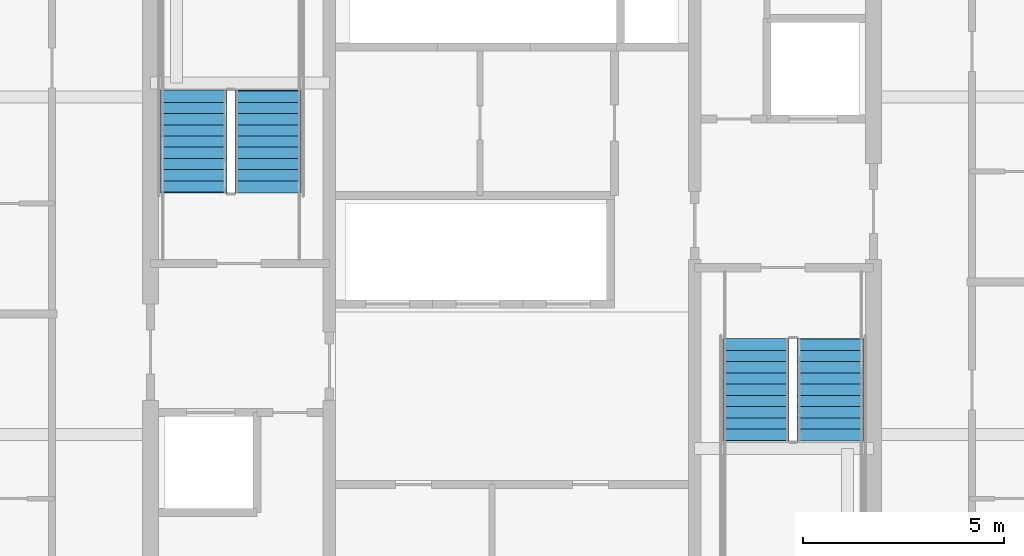
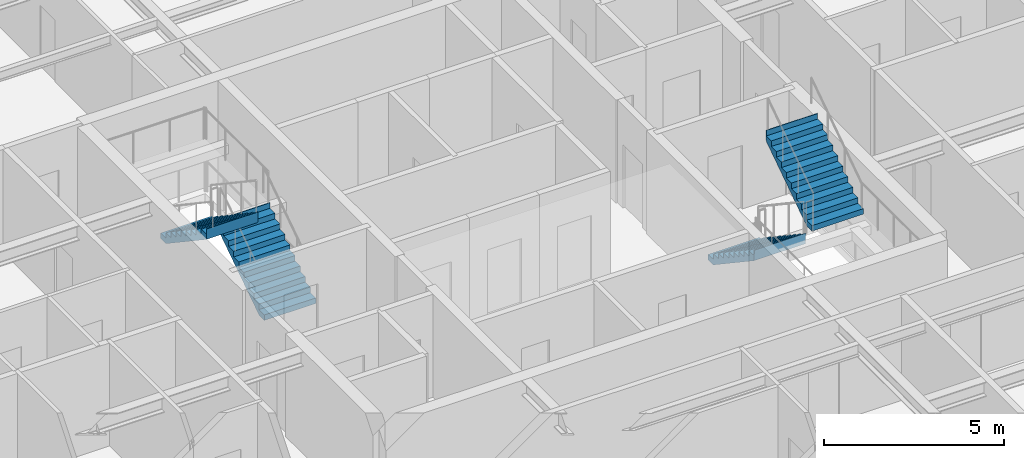
# One storey, part 31 of 36: 4 stair flights, 2 elements without a shape of their own.
"""IFC4 building model written with IfcOpenShell, lengths in metres."""

import ifcopenshell
import ifcopenshell.guid

model = None  # the IFC model being written
_history = None  # IfcOwnerHistory: only IFC2X3 demands one
_inside = {}  # id of a spatial element -> (the spatial element, [elements in it])
_under = {}  # id of a project, library or spatial element -> (it, [spatial elements below it])
_declared = {}  # id of a project -> (the project, [libraries it declares])
_typed = {}  # id of a type object -> (the type object, [elements of that type])
_made_of = {}  # id of a material, layer set ... -> (it, [elements and type objects made of it])


def new_model(schema):
    """Start an empty IFC model of exactly this schema.

    Asked for "IFC4X3", IfcOpenShell would pick the latest addendum, in which some entities
    have other attributes; the version numbers below select the first issue.
    IFC2X3 requires an IfcOwnerHistory on every rooted entity: one is made here for all.
    """
    global model, _history
    if schema == "IFC4X3":
        model = ifcopenshell.file(schema_version=(4, 3, 0, 0))
    else:
        model = ifcopenshell.file(schema=schema)
    _inside.clear()
    _under.clear()
    _declared.clear()
    _typed.clear()
    _made_of.clear()
    _history = None
    if model.schema == "IFC2X3":
        org = make("IfcOrganization", Name="unknown")
        user = make(
            "IfcPersonAndOrganization",
            ThePerson=make("IfcPerson", FamilyName="unknown"),
            TheOrganization=org,
        )
        app = make(
            "IfcApplication",
            ApplicationDeveloper=org,
            Version="unknown",
            ApplicationFullName="unknown",
            ApplicationIdentifier="unknown",
        )
        _history = make(
            "IfcOwnerHistory",
            OwningUser=user,
            OwningApplication=app,
            ChangeAction="ADDED",
            CreationDate=0,
        )
    return model


def make(cls, **values):
    """One entity of the class cls with the attributes given. An attribute that is None is left unset."""
    return model.create_entity(
        cls, **{name: value for name, value in values.items() if value is not None}
    )


def rooted(cls, **values):
    """An entity with a GlobalId (a new one), such as an element, a storey or a relation."""
    return make(cls, GlobalId=ifcopenshell.guid.new(), OwnerHistory=_history, **values)


def si_unit(unit_type, name, prefix=None):
    """IfcSIUnit, for example si_unit("LENGTHUNIT", "METRE", prefix="MILLI")."""
    return make("IfcSIUnit", UnitType=unit_type, Prefix=prefix, Name=name)


def assignment(units):
    """IfcUnitAssignment: the units of a project."""
    return None if units is None else make("IfcUnitAssignment", Units=units)


def point(xyz):
    """IfcCartesianPoint."""
    return None if xyz is None else make("IfcCartesianPoint", Coordinates=xyz)


def direction(xyz):
    """IfcDirection."""
    return None if xyz is None else make("IfcDirection", DirectionRatios=xyz)


def frame(location, z_axis=None, x_axis=None):
    """IfcAxis2Placement3D, a coordinate frame: its origin and axes. An axis left out is left unset."""
    return make(
        "IfcAxis2Placement3D",
        Location=point(location),
        Axis=direction(z_axis),
        RefDirection=direction(x_axis),
    )


def origin():
    """The frame at (0, 0, 0) with its axes left unset."""
    return frame((0.0, 0.0, 0.0))


def place(relative_to, where):
    """IfcLocalPlacement: puts the frame where relative to a parent placement (None: the world)."""
    return make(
        "IfcLocalPlacement", PlacementRelTo=relative_to, RelativePlacement=where
    )


def context(
    kind, dimensions, precision=None, world=None, true_north=None, identifier=None
):
    """IfcGeometricRepresentationContext, for example the 3D "Model" context."""
    return make(
        "IfcGeometricRepresentationContext",
        ContextIdentifier=identifier,
        ContextType=kind,
        CoordinateSpaceDimension=dimensions,
        Precision=precision,
        WorldCoordinateSystem=world,
        TrueNorth=true_north,
    )


def subcontext(parent, identifier, kind, view, scale=None):
    """IfcGeometricRepresentationSubContext, for example "Body" below "Model"."""
    return make(
        "IfcGeometricRepresentationSubContext",
        ContextIdentifier=identifier,
        ContextType=kind,
        ParentContext=parent,
        TargetScale=scale,
        TargetView=view,
    )


def project(units=None, contexts=None):
    """IfcProject with its units and contexts."""
    return rooted(
        "IfcProject",
        Name="project",
        RepresentationContexts=contexts,
        UnitsInContext=assignment(units),
    )


def spatial(cls, under=None, at=None, **own):
    """A site, building, storey or space (cls), placed at a placement, below another one or the project."""
    s = rooted(cls, ObjectPlacement=at, **own)
    if under is not None:
        _under.setdefault(under.id(), (under, []))[1].append(s)
    return s


def point_list(points):
    """IfcCartesianPointList2D or 3D."""
    cls = (
        "IfcCartesianPointList2D" if len(points[0]) == 2 else "IfcCartesianPointList3D"
    )
    return make(cls, CoordList=points)


def polygons(points, faces, closed=None, point_numbers=None):
    """IfcPolygonalFaceSet: a face is its outer loop, then its inner loops; points numbered from 1."""
    made = []
    for loops in faces:
        if len(loops) == 1:
            made.append(make("IfcIndexedPolygonalFace", CoordIndex=loops[0]))
        else:
            made.append(
                make(
                    "IfcIndexedPolygonalFaceWithVoids",
                    CoordIndex=loops[0],
                    InnerCoordIndices=loops[1:],
                )
            )
    return make(
        "IfcPolygonalFaceSet",
        Coordinates=point_list(points),
        Closed=closed,
        Faces=made,
        PnIndex=point_numbers,
    )


def shape(context_of_items, identifier, shape_type, items):
    """IfcShapeRepresentation: the items that make up one representation, for example the "Body"."""
    return make(
        "IfcShapeRepresentation",
        ContextOfItems=context_of_items,
        RepresentationIdentifier=identifier,
        RepresentationType=shape_type,
        Items=items,
    )


def material(Name=None, Category=None):
    """IfcMaterial."""
    return make("IfcMaterial", Name=Name, Category=Category)


def made_of(thing, what):
    """Note that an element or type object is made of a material, layer set ...; save() writes the relation."""
    if what is not None:
        _made_of.setdefault(what.id(), (what, []))[1].append(thing)
    return thing


def type_object(cls, material=None, **own):
    """A type object (cls), such as IfcWallType, which elements share."""
    return made_of(rooted(cls, **own), material)


def element(
    cls,
    number,
    at=None,
    inside=None,
    cuts=None,
    type_object=None,
    material=None,
    context=None,
    identifier="Body",
    shape_type=None,
    held_by="IfcProductDefinitionShape",
    body=None,
    shapes=None,
    **own,
):
    """One element of the class cls, such as IfcWall. Its Tag is "e" and its number.

    at: its placement. inside: the storey or other place that contains it. cuts: it is an
    opening in that element (IfcRelVoidsElement). A single representation is given by context,
    identifier, shape_type and body (its items); several are given by shapes. held_by: the class
    of the entity that holds the representations. save() writes the other relations.
    """
    e = rooted(cls, Tag="e%d" % number, ObjectPlacement=at, **own)
    if body is not None:
        shapes = [shape(context, identifier, shape_type, body)]
    if shapes is not None:
        e.Representation = make(held_by, Representations=shapes)
    if inside is not None:
        _inside.setdefault(inside.id(), (inside, []))[1].append(e)
    if cuts is not None:
        rooted(
            "IfcRelVoidsElement", RelatingBuildingElement=cuts, RelatedOpeningElement=e
        )
    if type_object is not None:
        _typed.setdefault(type_object.id(), (type_object, []))[1].append(e)
    return made_of(e, material)


def aggregate(whole, parts):
    """IfcRelAggregates: a whole, such as a stair, and the parts it consists of."""
    return rooted("IfcRelAggregates", RelatingObject=whole, RelatedObjects=parts)


def save(model, path):
    """Write the relations noted so far, then the file.

    IfcRelAggregates (storeys below a building ...), IfcRelContainedInSpatialStructure (elements
    in a storey), IfcRelDefinesByType, IfcRelAssociatesMaterial and IfcRelDeclares: one each for
    every whole, place, type object, material and project.
    """
    for whole, parts in _under.values():
        aggregate(whole, parts)
    for where, things in _inside.values():
        rooted(
            "IfcRelContainedInSpatialStructure",
            RelatedElements=things,
            RelatingStructure=where,
        )
    for kind, things in _typed.values():
        rooted("IfcRelDefinesByType", RelatedObjects=things, RelatingType=kind)
    for what, things in _made_of.values():
        rooted("IfcRelAssociatesMaterial", RelatedObjects=things, RelatingMaterial=what)
    for by, libraries in _declared.values():
        rooted("IfcRelDeclares", RelatingContext=by, RelatedDefinitions=libraries)
    model.write(path)


model = new_model("IFC4")

# Units and contexts
model_context = context("Model", 3, precision=1e-05, world=origin(), true_north=direction((0.0, 1.0)))
body_context = subcontext(model_context, "Body", "Model", "MODEL_VIEW")
ifc_project = project(units=[si_unit("LENGTHUNIT", "METRE"), si_unit("AREAUNIT", "SQUARE_METRE"), si_unit("VOLUMEUNIT", "CUBIC_METRE"), si_unit("PLANEANGLEUNIT", "RADIAN"), si_unit("MASSUNIT", "GRAM", prefix="KILO")], contexts=[model_context])

# Site, building, storey
site_placement = place(None, origin())
site = spatial("IfcSite", under=ifc_project, at=site_placement, CompositionType="ELEMENT")
building_placement = place(site_placement, origin())
building = spatial("IfcBuilding", under=site, at=building_placement, Name="Serunith Strait Residences", CompositionType="ELEMENT")
storey_placement = place(building_placement, frame((0.0, 0.0, 131.39990234375)))
storey = spatial("IfcBuildingStorey", under=building, at=storey_placement, Name="L32", CompositionType="ELEMENT", Elevation=131.39990234375)

# Stair, stair flights
ifc_material = material(Name="Concrete C50/60", Category="concrete")
stair_type_1 = type_object("IfcStairType", Name="STR-CORE-1", PredefinedType="HALF_TURN_STAIR", material=ifc_material)
stair_1_placement = place(storey_placement, origin())
stair_1 = element("IfcStair", 1, at=stair_1_placement, inside=storey, type_object=stair_type_1, Name="L32 Protected Escape Stair ST-1", PredefinedType="HALF_TURN_STAIR")
stair_flight_type_1 = type_object("IfcStairFlightType", Name="FLT-CORE-1", PredefinedType="STRAIGHT", material=ifc_material)
stair_flight_1_placement = place(storey_placement, frame((26.324951171875, 27.030029296875, 0.0), z_axis=(0.0, 0.0, 1.0), x_axis=(0.0, 1.0, 0.0)))
stair_flight_1 = element("IfcStairFlight", 2, at=stair_flight_1_placement, type_object=stair_flight_type_1, Name="ST-1 flight 1", NumberOfRisers=10, NumberOfTreads=9, PredefinedType="STRAIGHT", RiserHeight=0.1875, TreadLength=0.28, context=body_context, shape_type="Tessellation", body=[
    polygons([(-0.02001953125, -0.824951171875, 0.0), (-0.02001953125, -0.824951171875, 0.1875), (0.280029296875, -0.824951171875, 0.1875), (0.280029296875, -0.824951171875, 0.375), (0.56005859375, -0.824951171875, 0.375), (0.56005859375, -0.824951171875, 0.5625), (0.840087890625, -0.824951171875, 0.5625), (0.840087890625, -0.824951171875, 0.75), (1.1201171875, -0.824951171875, 0.75), (1.1201171875, -0.824951171875, 0.9375), (1.39990234375, -0.824951171875, 0.9375), (1.39990234375, -0.824951171875, 1.125), (1.679931640625, -0.824951171875, 1.125), (1.679931640625, -0.824951171875, 1.3125), (1.9599609375, -0.824951171875, 1.3125), (1.9599609375, -0.824951171875, 1.5), (2.239990234375, -0.824951171875, 1.5), (2.239990234375, -0.824951171875, 1.6875), (2.52001953125, -0.824951171875, 1.6875), (2.52001953125, -0.824951171875, 1.875), (2.5400390625, -0.824951171875, 1.875), (2.5400390625, -0.824951171875, 1.81494140625), (2.52001953125, -0.824951171875, 1.507080078125), (0.26953125, -0.824951171875, 0.0), (-0.02001953125, -0.41259765625, 0.0), (-0.02001953125, -0.41259765625, 0.1875), (0.280029296875, -0.41259765625, 0.1875), (0.280029296875, -0.41259765625, 0.375), (0.56005859375, -0.41259765625, 0.375), (0.56005859375, -0.41259765625, 0.5625), (0.840087890625, -0.41259765625, 0.5625), (0.840087890625, -0.41259765625, 0.75), (1.1201171875, -0.41259765625, 0.75), (1.1201171875, -0.41259765625, 0.9375), (1.39990234375, -0.41259765625, 0.9375), (1.39990234375, -0.41259765625, 1.125), (1.679931640625, -0.41259765625, 1.125), (1.679931640625, -0.41259765625, 1.3125), (1.9599609375, -0.41259765625, 1.3125), (1.9599609375, -0.41259765625, 1.5), (2.239990234375, -0.41259765625, 1.5), (2.239990234375, -0.41259765625, 1.6875), (2.52001953125, -0.41259765625, 1.6875), (2.52001953125, -0.41259765625, 1.875), (2.5400390625, -0.41259765625, 1.875), (2.5400390625, -0.41259765625, 1.81494140625), (2.52001953125, -0.41259765625, 1.507080078125), (0.26953125, -0.41259765625, 0.0), (-0.02001953125, 0.0, 0.0), (-0.02001953125, 0.0, 0.1875), (0.280029296875, 0.0, 0.1875), (0.280029296875, 0.0, 0.375), (0.56005859375, 0.0, 0.375), (0.56005859375, 0.0, 0.5625), (0.840087890625, 0.0, 0.5625), (0.840087890625, 0.0, 0.75), (1.1201171875, 0.0, 0.75), (1.1201171875, 0.0, 0.9375), (1.39990234375, 0.0, 0.9375), (1.39990234375, 0.0, 1.125), (1.679931640625, 0.0, 1.125), (1.679931640625, 0.0, 1.3125), (1.9599609375, 0.0, 1.3125), (1.9599609375, 0.0, 1.5), (2.239990234375, 0.0, 1.5), (2.239990234375, 0.0, 1.6875), (2.52001953125, 0.0, 1.6875), (2.52001953125, 0.0, 1.875), (2.5400390625, 0.0, 1.875), (2.5400390625, 0.0, 1.81494140625), (2.52001953125, 0.0, 1.507080078125), (0.26953125, 0.0, 0.0), (-0.02001953125, 0.41259765625, 0.0), (-0.02001953125, 0.41259765625, 0.1875), (0.280029296875, 0.41259765625, 0.1875), (0.280029296875, 0.41259765625, 0.375), (0.56005859375, 0.41259765625, 0.375), (0.56005859375, 0.41259765625, 0.5625), (0.840087890625, 0.41259765625, 0.5625), (0.840087890625, 0.41259765625, 0.75), (1.1201171875, 0.41259765625, 0.75), (1.1201171875, 0.41259765625, 0.9375), (1.39990234375, 0.41259765625, 0.9375), (1.39990234375, 0.41259765625, 1.125), (1.679931640625, 0.41259765625, 1.125), (1.679931640625, 0.41259765625, 1.3125), (1.9599609375, 0.41259765625, 1.3125), (1.9599609375, 0.41259765625, 1.5), (2.239990234375, 0.41259765625, 1.5), (2.239990234375, 0.41259765625, 1.6875), (2.52001953125, 0.41259765625, 1.6875), (2.52001953125, 0.41259765625, 1.875), (2.5400390625, 0.41259765625, 1.875), (2.5400390625, 0.41259765625, 1.81494140625), (2.52001953125, 0.41259765625, 1.507080078125), (0.26953125, 0.41259765625, 0.0), (-0.02001953125, 0.824951171875, 0.0), (-0.02001953125, 0.824951171875, 0.1875), (0.280029296875, 0.824951171875, 0.1875), (0.280029296875, 0.824951171875, 0.375), (0.56005859375, 0.824951171875, 0.375), (0.56005859375, 0.824951171875, 0.5625), (0.840087890625, 0.824951171875, 0.5625), (0.840087890625, 0.824951171875, 0.75), (1.1201171875, 0.824951171875, 0.75), (1.1201171875, 0.824951171875, 0.9375), (1.39990234375, 0.824951171875, 0.9375), (1.39990234375, 0.824951171875, 1.125), (1.679931640625, 0.824951171875, 1.125), (1.679931640625, 0.824951171875, 1.3125), (1.9599609375, 0.824951171875, 1.3125), (1.9599609375, 0.824951171875, 1.5), (2.239990234375, 0.824951171875, 1.5), (2.239990234375, 0.824951171875, 1.6875), (2.52001953125, 0.824951171875, 1.6875), (2.52001953125, 0.824951171875, 1.875), (2.5400390625, 0.824951171875, 1.875), (2.5400390625, 0.824951171875, 1.81494140625), (2.52001953125, 0.824951171875, 1.507080078125), (0.26953125, 0.824951171875, 0.0)], [[[1, 2, 26, 25]], [[2, 3, 27, 26]], [[3, 4, 28, 27]], [[4, 5, 29, 28]], [[5, 6, 30, 29]], [[6, 7, 31, 30]], [[7, 8, 32, 31]], [[8, 9, 33, 32]], [[9, 10, 34, 33]], [[10, 11, 35, 34]], [[11, 12, 36, 35]], [[12, 13, 37, 36]], [[13, 14, 38, 37]], [[14, 15, 39, 38]], [[15, 16, 40, 39]], [[16, 17, 41, 40]], [[17, 18, 42, 41]], [[18, 19, 43, 42]], [[19, 20, 44, 43]], [[20, 21, 45, 44]], [[21, 22, 46, 45]], [[22, 23, 47, 46]], [[23, 24, 48, 47]], [[24, 1, 25, 48]], [[25, 26, 50, 49]], [[26, 27, 51, 50]], [[27, 28, 52, 51]], [[28, 29, 53, 52]], [[29, 30, 54, 53]], [[30, 31, 55, 54]], [[31, 32, 56, 55]], [[32, 33, 57, 56]], [[33, 34, 58, 57]], [[34, 35, 59, 58]], [[35, 36, 60, 59]], [[36, 37, 61, 60]], [[37, 38, 62, 61]], [[38, 39, 63, 62]], [[39, 40, 64, 63]], [[40, 41, 65, 64]], [[41, 42, 66, 65]], [[42, 43, 67, 66]], [[43, 44, 68, 67]], [[44, 45, 69, 68]], [[45, 46, 70, 69]], [[46, 47, 71, 70]], [[47, 48, 72, 71]], [[48, 25, 49, 72]], [[49, 50, 74, 73]], [[50, 51, 75, 74]], [[51, 52, 76, 75]], [[52, 53, 77, 76]], [[53, 54, 78, 77]], [[54, 55, 79, 78]], [[55, 56, 80, 79]], [[56, 57, 81, 80]], [[57, 58, 82, 81]], [[58, 59, 83, 82]], [[59, 60, 84, 83]], [[60, 61, 85, 84]], [[61, 62, 86, 85]], [[62, 63, 87, 86]], [[63, 64, 88, 87]], [[64, 65, 89, 88]], [[65, 66, 90, 89]], [[66, 67, 91, 90]], [[67, 68, 92, 91]], [[68, 69, 93, 92]], [[69, 70, 94, 93]], [[70, 71, 95, 94]], [[71, 72, 96, 95]], [[72, 49, 73, 96]], [[73, 74, 98, 97]], [[74, 75, 99, 98]], [[75, 76, 100, 99]], [[76, 77, 101, 100]], [[77, 78, 102, 101]], [[78, 79, 103, 102]], [[79, 80, 104, 103]], [[80, 81, 105, 104]], [[81, 82, 106, 105]], [[82, 83, 107, 106]], [[83, 84, 108, 107]], [[84, 85, 109, 108]], [[85, 86, 110, 109]], [[86, 87, 111, 110]], [[87, 88, 112, 111]], [[88, 89, 113, 112]], [[89, 90, 114, 113]], [[90, 91, 115, 114]], [[91, 92, 116, 115]], [[92, 93, 117, 116]], [[93, 94, 118, 117]], [[94, 95, 119, 118]], [[95, 96, 120, 119]], [[96, 73, 97, 120]], [[24, 23, 22, 21, 20, 19, 18, 17, 16, 15, 14, 13, 12, 11, 10, 9, 8, 7, 6, 5, 4, 3, 2, 1]], [[97, 98, 99, 100, 101, 102, 103, 104, 105, 106, 107, 108, 109, 110, 111, 112, 113, 114, 115, 116, 117, 118, 119, 120]]], closed=True),
])
stair_flight_2_placement = place(storey_placement, frame((24.47509765625, 29.550048828125, 1.875), z_axis=(0.0, 0.0, 1.0), x_axis=(0.0, -1.0, 0.0)))
stair_flight_2 = element("IfcStairFlight", 3, at=stair_flight_2_placement, type_object=stair_flight_type_1, Name="ST-1 flight 2", NumberOfRisers=10, NumberOfTreads=9, PredefinedType="STRAIGHT", RiserHeight=0.1875, TreadLength=0.28, context=body_context, shape_type="Tessellation", body=[
    polygons([(-0.02001953125, -0.824951171875, 0.0), (-0.02001953125, -0.824951171875, 0.1875), (0.280029296875, -0.824951171875, 0.1875), (0.280029296875, -0.824951171875, 0.375), (0.56005859375, -0.824951171875, 0.375), (0.56005859375, -0.824951171875, 0.5625), (0.840087890625, -0.824951171875, 0.5625), (0.840087890625, -0.824951171875, 0.75), (1.1201171875, -0.824951171875, 0.75), (1.1201171875, -0.824951171875, 0.9375), (1.39990234375, -0.824951171875, 0.9375), (1.39990234375, -0.824951171875, 1.125), (1.679931640625, -0.824951171875, 1.125), (1.679931640625, -0.824951171875, 1.3125), (1.9599609375, -0.824951171875, 1.3125), (1.9599609375, -0.824951171875, 1.5), (2.239990234375, -0.824951171875, 1.5), (2.239990234375, -0.824951171875, 1.6875), (2.52001953125, -0.824951171875, 1.6875), (2.52001953125, -0.824951171875, 1.875), (2.5400390625, -0.824951171875, 1.875), (2.5400390625, -0.824951171875, 1.81494140625), (2.52001953125, -0.824951171875, 1.507080078125), (0.26953125, -0.824951171875, 0.0), (-0.02001953125, -0.41259765625, 0.0), (-0.02001953125, -0.41259765625, 0.1875), (0.280029296875, -0.41259765625, 0.1875), (0.280029296875, -0.41259765625, 0.375), (0.56005859375, -0.41259765625, 0.375), (0.56005859375, -0.41259765625, 0.5625), (0.840087890625, -0.41259765625, 0.5625), (0.840087890625, -0.41259765625, 0.75), (1.1201171875, -0.41259765625, 0.75), (1.1201171875, -0.41259765625, 0.9375), (1.39990234375, -0.41259765625, 0.9375), (1.39990234375, -0.41259765625, 1.125), (1.679931640625, -0.41259765625, 1.125), (1.679931640625, -0.41259765625, 1.3125), (1.9599609375, -0.41259765625, 1.3125), (1.9599609375, -0.41259765625, 1.5), (2.239990234375, -0.41259765625, 1.5), (2.239990234375, -0.41259765625, 1.6875), (2.52001953125, -0.41259765625, 1.6875), (2.52001953125, -0.41259765625, 1.875), (2.5400390625, -0.41259765625, 1.875), (2.5400390625, -0.41259765625, 1.81494140625), (2.52001953125, -0.41259765625, 1.507080078125), (0.26953125, -0.41259765625, 0.0), (-0.02001953125, 0.0, 0.0), (-0.02001953125, 0.0, 0.1875), (0.280029296875, 0.0, 0.1875), (0.280029296875, 0.0, 0.375), (0.56005859375, 0.0, 0.375), (0.56005859375, 0.0, 0.5625), (0.840087890625, 0.0, 0.5625), (0.840087890625, 0.0, 0.75), (1.1201171875, 0.0, 0.75), (1.1201171875, 0.0, 0.9375), (1.39990234375, 0.0, 0.9375), (1.39990234375, 0.0, 1.125), (1.679931640625, 0.0, 1.125), (1.679931640625, 0.0, 1.3125), (1.9599609375, 0.0, 1.3125), (1.9599609375, 0.0, 1.5), (2.239990234375, 0.0, 1.5), (2.239990234375, 0.0, 1.6875), (2.52001953125, 0.0, 1.6875), (2.52001953125, 0.0, 1.875), (2.5400390625, 0.0, 1.875), (2.5400390625, 0.0, 1.81494140625), (2.52001953125, 0.0, 1.507080078125), (0.26953125, 0.0, 0.0), (-0.02001953125, 0.41259765625, 0.0), (-0.02001953125, 0.41259765625, 0.1875), (0.280029296875, 0.41259765625, 0.1875), (0.280029296875, 0.41259765625, 0.375), (0.56005859375, 0.41259765625, 0.375), (0.56005859375, 0.41259765625, 0.5625), (0.840087890625, 0.41259765625, 0.5625), (0.840087890625, 0.41259765625, 0.75), (1.1201171875, 0.41259765625, 0.75), (1.1201171875, 0.41259765625, 0.9375), (1.39990234375, 0.41259765625, 0.9375), (1.39990234375, 0.41259765625, 1.125), (1.679931640625, 0.41259765625, 1.125), (1.679931640625, 0.41259765625, 1.3125), (1.9599609375, 0.41259765625, 1.3125), (1.9599609375, 0.41259765625, 1.5), (2.239990234375, 0.41259765625, 1.5), (2.239990234375, 0.41259765625, 1.6875), (2.52001953125, 0.41259765625, 1.6875), (2.52001953125, 0.41259765625, 1.875), (2.5400390625, 0.41259765625, 1.875), (2.5400390625, 0.41259765625, 1.81494140625), (2.52001953125, 0.41259765625, 1.507080078125), (0.26953125, 0.41259765625, 0.0), (-0.02001953125, 0.824951171875, 0.0), (-0.02001953125, 0.824951171875, 0.1875), (0.280029296875, 0.824951171875, 0.1875), (0.280029296875, 0.824951171875, 0.375), (0.56005859375, 0.824951171875, 0.375), (0.56005859375, 0.824951171875, 0.5625), (0.840087890625, 0.824951171875, 0.5625), (0.840087890625, 0.824951171875, 0.75), (1.1201171875, 0.824951171875, 0.75), (1.1201171875, 0.824951171875, 0.9375), (1.39990234375, 0.824951171875, 0.9375), (1.39990234375, 0.824951171875, 1.125), (1.679931640625, 0.824951171875, 1.125), (1.679931640625, 0.824951171875, 1.3125), (1.9599609375, 0.824951171875, 1.3125), (1.9599609375, 0.824951171875, 1.5), (2.239990234375, 0.824951171875, 1.5), (2.239990234375, 0.824951171875, 1.6875), (2.52001953125, 0.824951171875, 1.6875), (2.52001953125, 0.824951171875, 1.875), (2.5400390625, 0.824951171875, 1.875), (2.5400390625, 0.824951171875, 1.81494140625), (2.52001953125, 0.824951171875, 1.507080078125), (0.26953125, 0.824951171875, 0.0)], [[[1, 2, 26, 25]], [[2, 3, 27, 26]], [[3, 4, 28, 27]], [[4, 5, 29, 28]], [[5, 6, 30, 29]], [[6, 7, 31, 30]], [[7, 8, 32, 31]], [[8, 9, 33, 32]], [[9, 10, 34, 33]], [[10, 11, 35, 34]], [[11, 12, 36, 35]], [[12, 13, 37, 36]], [[13, 14, 38, 37]], [[14, 15, 39, 38]], [[15, 16, 40, 39]], [[16, 17, 41, 40]], [[17, 18, 42, 41]], [[18, 19, 43, 42]], [[19, 20, 44, 43]], [[20, 21, 45, 44]], [[21, 22, 46, 45]], [[22, 23, 47, 46]], [[23, 24, 48, 47]], [[24, 1, 25, 48]], [[25, 26, 50, 49]], [[26, 27, 51, 50]], [[27, 28, 52, 51]], [[28, 29, 53, 52]], [[29, 30, 54, 53]], [[30, 31, 55, 54]], [[31, 32, 56, 55]], [[32, 33, 57, 56]], [[33, 34, 58, 57]], [[34, 35, 59, 58]], [[35, 36, 60, 59]], [[36, 37, 61, 60]], [[37, 38, 62, 61]], [[38, 39, 63, 62]], [[39, 40, 64, 63]], [[40, 41, 65, 64]], [[41, 42, 66, 65]], [[42, 43, 67, 66]], [[43, 44, 68, 67]], [[44, 45, 69, 68]], [[45, 46, 70, 69]], [[46, 47, 71, 70]], [[47, 48, 72, 71]], [[48, 25, 49, 72]], [[49, 50, 74, 73]], [[50, 51, 75, 74]], [[51, 52, 76, 75]], [[52, 53, 77, 76]], [[53, 54, 78, 77]], [[54, 55, 79, 78]], [[55, 56, 80, 79]], [[56, 57, 81, 80]], [[57, 58, 82, 81]], [[58, 59, 83, 82]], [[59, 60, 84, 83]], [[60, 61, 85, 84]], [[61, 62, 86, 85]], [[62, 63, 87, 86]], [[63, 64, 88, 87]], [[64, 65, 89, 88]], [[65, 66, 90, 89]], [[66, 67, 91, 90]], [[67, 68, 92, 91]], [[68, 69, 93, 92]], [[69, 70, 94, 93]], [[70, 71, 95, 94]], [[71, 72, 96, 95]], [[72, 49, 73, 96]], [[73, 74, 98, 97]], [[74, 75, 99, 98]], [[75, 76, 100, 99]], [[76, 77, 101, 100]], [[77, 78, 102, 101]], [[78, 79, 103, 102]], [[79, 80, 104, 103]], [[80, 81, 105, 104]], [[81, 82, 106, 105]], [[82, 83, 107, 106]], [[83, 84, 108, 107]], [[84, 85, 109, 108]], [[85, 86, 110, 109]], [[86, 87, 111, 110]], [[87, 88, 112, 111]], [[88, 89, 113, 112]], [[89, 90, 114, 113]], [[90, 91, 115, 114]], [[91, 92, 116, 115]], [[92, 93, 117, 116]], [[93, 94, 118, 117]], [[94, 95, 119, 118]], [[95, 96, 120, 119]], [[96, 73, 97, 120]], [[24, 23, 22, 21, 20, 19, 18, 17, 16, 15, 14, 13, 12, 11, 10, 9, 8, 7, 6, 5, 4, 3, 2, 1]], [[97, 98, 99, 100, 101, 102, 103, 104, 105, 106, 107, 108, 109, 110, 111, 112, 113, 114, 115, 116, 117, 118, 119, 120]]], closed=True),
])
aggregate(stair_1, [stair_flight_1, stair_flight_2])

stair_type_2 = type_object("IfcStairType", Name="STR-CORE-2", PredefinedType="HALF_TURN_STAIR", material=ifc_material)
stair_2_placement = place(storey_placement, origin())
stair_2 = element("IfcStair", 4, at=stair_2_placement, inside=storey, type_object=stair_type_2, Name="L32 Protected Escape Stair ST-2", PredefinedType="HALF_TURN_STAIR")
stair_flight_type_2 = type_object("IfcStairFlightType", Name="FLT-CORE-2", PredefinedType="STRAIGHT", material=ifc_material)
stair_flight_3_placement = place(storey_placement, frame((38.47509765625, 23.3701171875, 0.0), z_axis=(0.0, 0.0, 1.0), x_axis=(0.0, -1.0, 0.0)))
stair_flight_3 = element("IfcStairFlight", 5, at=stair_flight_3_placement, type_object=stair_flight_type_2, Name="ST-2 flight 1", NumberOfRisers=10, NumberOfTreads=9, PredefinedType="STRAIGHT", RiserHeight=0.1875, TreadLength=0.28, context=body_context, shape_type="Tessellation", body=[
    polygons([(-0.02001953125, -0.824951171875, 0.0), (-0.02001953125, -0.824951171875, 0.1875), (0.280029296875, -0.824951171875, 0.1875), (0.280029296875, -0.824951171875, 0.375), (0.56005859375, -0.824951171875, 0.375), (0.56005859375, -0.824951171875, 0.5625), (0.840087890625, -0.824951171875, 0.5625), (0.840087890625, -0.824951171875, 0.75), (1.1201171875, -0.824951171875, 0.75), (1.1201171875, -0.824951171875, 0.9375), (1.39990234375, -0.824951171875, 0.9375), (1.39990234375, -0.824951171875, 1.125), (1.679931640625, -0.824951171875, 1.125), (1.679931640625, -0.824951171875, 1.3125), (1.9599609375, -0.824951171875, 1.3125), (1.9599609375, -0.824951171875, 1.5), (2.239990234375, -0.824951171875, 1.5), (2.239990234375, -0.824951171875, 1.6875), (2.52001953125, -0.824951171875, 1.6875), (2.52001953125, -0.824951171875, 1.875), (2.5400390625, -0.824951171875, 1.875), (2.5400390625, -0.824951171875, 1.81494140625), (2.52001953125, -0.824951171875, 1.507080078125), (0.26953125, -0.824951171875, 0.0), (-0.02001953125, -0.41259765625, 0.0), (-0.02001953125, -0.41259765625, 0.1875), (0.280029296875, -0.41259765625, 0.1875), (0.280029296875, -0.41259765625, 0.375), (0.56005859375, -0.41259765625, 0.375), (0.56005859375, -0.41259765625, 0.5625), (0.840087890625, -0.41259765625, 0.5625), (0.840087890625, -0.41259765625, 0.75), (1.1201171875, -0.41259765625, 0.75), (1.1201171875, -0.41259765625, 0.9375), (1.39990234375, -0.41259765625, 0.9375), (1.39990234375, -0.41259765625, 1.125), (1.679931640625, -0.41259765625, 1.125), (1.679931640625, -0.41259765625, 1.3125), (1.9599609375, -0.41259765625, 1.3125), (1.9599609375, -0.41259765625, 1.5), (2.239990234375, -0.41259765625, 1.5), (2.239990234375, -0.41259765625, 1.6875), (2.52001953125, -0.41259765625, 1.6875), (2.52001953125, -0.41259765625, 1.875), (2.5400390625, -0.41259765625, 1.875), (2.5400390625, -0.41259765625, 1.81494140625), (2.52001953125, -0.41259765625, 1.507080078125), (0.26953125, -0.41259765625, 0.0), (-0.02001953125, 0.0, 0.0), (-0.02001953125, 0.0, 0.1875), (0.280029296875, 0.0, 0.1875), (0.280029296875, 0.0, 0.375), (0.56005859375, 0.0, 0.375), (0.56005859375, 0.0, 0.5625), (0.840087890625, 0.0, 0.5625), (0.840087890625, 0.0, 0.75), (1.1201171875, 0.0, 0.75), (1.1201171875, 0.0, 0.9375), (1.39990234375, 0.0, 0.9375), (1.39990234375, 0.0, 1.125), (1.679931640625, 0.0, 1.125), (1.679931640625, 0.0, 1.3125), (1.9599609375, 0.0, 1.3125), (1.9599609375, 0.0, 1.5), (2.239990234375, 0.0, 1.5), (2.239990234375, 0.0, 1.6875), (2.52001953125, 0.0, 1.6875), (2.52001953125, 0.0, 1.875), (2.5400390625, 0.0, 1.875), (2.5400390625, 0.0, 1.81494140625), (2.52001953125, 0.0, 1.507080078125), (0.26953125, 0.0, 0.0), (-0.02001953125, 0.41259765625, 0.0), (-0.02001953125, 0.41259765625, 0.1875), (0.280029296875, 0.41259765625, 0.1875), (0.280029296875, 0.41259765625, 0.375), (0.56005859375, 0.41259765625, 0.375), (0.56005859375, 0.41259765625, 0.5625), (0.840087890625, 0.41259765625, 0.5625), (0.840087890625, 0.41259765625, 0.75), (1.1201171875, 0.41259765625, 0.75), (1.1201171875, 0.41259765625, 0.9375), (1.39990234375, 0.41259765625, 0.9375), (1.39990234375, 0.41259765625, 1.125), (1.679931640625, 0.41259765625, 1.125), (1.679931640625, 0.41259765625, 1.3125), (1.9599609375, 0.41259765625, 1.3125), (1.9599609375, 0.41259765625, 1.5), (2.239990234375, 0.41259765625, 1.5), (2.239990234375, 0.41259765625, 1.6875), (2.52001953125, 0.41259765625, 1.6875), (2.52001953125, 0.41259765625, 1.875), (2.5400390625, 0.41259765625, 1.875), (2.5400390625, 0.41259765625, 1.81494140625), (2.52001953125, 0.41259765625, 1.507080078125), (0.26953125, 0.41259765625, 0.0), (-0.02001953125, 0.824951171875, 0.0), (-0.02001953125, 0.824951171875, 0.1875), (0.280029296875, 0.824951171875, 0.1875), (0.280029296875, 0.824951171875, 0.375), (0.56005859375, 0.824951171875, 0.375), (0.56005859375, 0.824951171875, 0.5625), (0.840087890625, 0.824951171875, 0.5625), (0.840087890625, 0.824951171875, 0.75), (1.1201171875, 0.824951171875, 0.75), (1.1201171875, 0.824951171875, 0.9375), (1.39990234375, 0.824951171875, 0.9375), (1.39990234375, 0.824951171875, 1.125), (1.679931640625, 0.824951171875, 1.125), (1.679931640625, 0.824951171875, 1.3125), (1.9599609375, 0.824951171875, 1.3125), (1.9599609375, 0.824951171875, 1.5), (2.239990234375, 0.824951171875, 1.5), (2.239990234375, 0.824951171875, 1.6875), (2.52001953125, 0.824951171875, 1.6875), (2.52001953125, 0.824951171875, 1.875), (2.5400390625, 0.824951171875, 1.875), (2.5400390625, 0.824951171875, 1.81494140625), (2.52001953125, 0.824951171875, 1.507080078125), (0.26953125, 0.824951171875, 0.0)], [[[1, 2, 26, 25]], [[2, 3, 27, 26]], [[3, 4, 28, 27]], [[4, 5, 29, 28]], [[5, 6, 30, 29]], [[6, 7, 31, 30]], [[7, 8, 32, 31]], [[8, 9, 33, 32]], [[9, 10, 34, 33]], [[10, 11, 35, 34]], [[11, 12, 36, 35]], [[12, 13, 37, 36]], [[13, 14, 38, 37]], [[14, 15, 39, 38]], [[15, 16, 40, 39]], [[16, 17, 41, 40]], [[17, 18, 42, 41]], [[18, 19, 43, 42]], [[19, 20, 44, 43]], [[20, 21, 45, 44]], [[21, 22, 46, 45]], [[22, 23, 47, 46]], [[23, 24, 48, 47]], [[24, 1, 25, 48]], [[25, 26, 50, 49]], [[26, 27, 51, 50]], [[27, 28, 52, 51]], [[28, 29, 53, 52]], [[29, 30, 54, 53]], [[30, 31, 55, 54]], [[31, 32, 56, 55]], [[32, 33, 57, 56]], [[33, 34, 58, 57]], [[34, 35, 59, 58]], [[35, 36, 60, 59]], [[36, 37, 61, 60]], [[37, 38, 62, 61]], [[38, 39, 63, 62]], [[39, 40, 64, 63]], [[40, 41, 65, 64]], [[41, 42, 66, 65]], [[42, 43, 67, 66]], [[43, 44, 68, 67]], [[44, 45, 69, 68]], [[45, 46, 70, 69]], [[46, 47, 71, 70]], [[47, 48, 72, 71]], [[48, 25, 49, 72]], [[49, 50, 74, 73]], [[50, 51, 75, 74]], [[51, 52, 76, 75]], [[52, 53, 77, 76]], [[53, 54, 78, 77]], [[54, 55, 79, 78]], [[55, 56, 80, 79]], [[56, 57, 81, 80]], [[57, 58, 82, 81]], [[58, 59, 83, 82]], [[59, 60, 84, 83]], [[60, 61, 85, 84]], [[61, 62, 86, 85]], [[62, 63, 87, 86]], [[63, 64, 88, 87]], [[64, 65, 89, 88]], [[65, 66, 90, 89]], [[66, 67, 91, 90]], [[67, 68, 92, 91]], [[68, 69, 93, 92]], [[69, 70, 94, 93]], [[70, 71, 95, 94]], [[71, 72, 96, 95]], [[72, 49, 73, 96]], [[73, 74, 98, 97]], [[74, 75, 99, 98]], [[75, 76, 100, 99]], [[76, 77, 101, 100]], [[77, 78, 102, 101]], [[78, 79, 103, 102]], [[79, 80, 104, 103]], [[80, 81, 105, 104]], [[81, 82, 106, 105]], [[82, 83, 107, 106]], [[83, 84, 108, 107]], [[84, 85, 109, 108]], [[85, 86, 110, 109]], [[86, 87, 111, 110]], [[87, 88, 112, 111]], [[88, 89, 113, 112]], [[89, 90, 114, 113]], [[90, 91, 115, 114]], [[91, 92, 116, 115]], [[92, 93, 117, 116]], [[93, 94, 118, 117]], [[94, 95, 119, 118]], [[95, 96, 120, 119]], [[96, 73, 97, 120]], [[24, 23, 22, 21, 20, 19, 18, 17, 16, 15, 14, 13, 12, 11, 10, 9, 8, 7, 6, 5, 4, 3, 2, 1]], [[97, 98, 99, 100, 101, 102, 103, 104, 105, 106, 107, 108, 109, 110, 111, 112, 113, 114, 115, 116, 117, 118, 119, 120]]], closed=True),
])
stair_flight_4_placement = place(storey_placement, frame((40.324951171875, 20.85009765625, 1.875), z_axis=(0.0, 0.0, 1.0), x_axis=(0.0, 1.0, 0.0)))
stair_flight_4 = element("IfcStairFlight", 6, at=stair_flight_4_placement, type_object=stair_flight_type_2, Name="ST-2 flight 2", NumberOfRisers=10, NumberOfTreads=9, PredefinedType="STRAIGHT", RiserHeight=0.1875, TreadLength=0.28, context=body_context, shape_type="Tessellation", body=[
    polygons([(-0.02001953125, -0.824951171875, 0.0), (-0.02001953125, -0.824951171875, 0.1875), (0.280029296875, -0.824951171875, 0.1875), (0.280029296875, -0.824951171875, 0.375), (0.56005859375, -0.824951171875, 0.375), (0.56005859375, -0.824951171875, 0.5625), (0.840087890625, -0.824951171875, 0.5625), (0.840087890625, -0.824951171875, 0.75), (1.1201171875, -0.824951171875, 0.75), (1.1201171875, -0.824951171875, 0.9375), (1.39990234375, -0.824951171875, 0.9375), (1.39990234375, -0.824951171875, 1.125), (1.679931640625, -0.824951171875, 1.125), (1.679931640625, -0.824951171875, 1.3125), (1.9599609375, -0.824951171875, 1.3125), (1.9599609375, -0.824951171875, 1.5), (2.239990234375, -0.824951171875, 1.5), (2.239990234375, -0.824951171875, 1.6875), (2.52001953125, -0.824951171875, 1.6875), (2.52001953125, -0.824951171875, 1.875), (2.5400390625, -0.824951171875, 1.875), (2.5400390625, -0.824951171875, 1.81494140625), (2.52001953125, -0.824951171875, 1.507080078125), (0.26953125, -0.824951171875, 0.0), (-0.02001953125, -0.41259765625, 0.0), (-0.02001953125, -0.41259765625, 0.1875), (0.280029296875, -0.41259765625, 0.1875), (0.280029296875, -0.41259765625, 0.375), (0.56005859375, -0.41259765625, 0.375), (0.56005859375, -0.41259765625, 0.5625), (0.840087890625, -0.41259765625, 0.5625), (0.840087890625, -0.41259765625, 0.75), (1.1201171875, -0.41259765625, 0.75), (1.1201171875, -0.41259765625, 0.9375), (1.39990234375, -0.41259765625, 0.9375), (1.39990234375, -0.41259765625, 1.125), (1.679931640625, -0.41259765625, 1.125), (1.679931640625, -0.41259765625, 1.3125), (1.9599609375, -0.41259765625, 1.3125), (1.9599609375, -0.41259765625, 1.5), (2.239990234375, -0.41259765625, 1.5), (2.239990234375, -0.41259765625, 1.6875), (2.52001953125, -0.41259765625, 1.6875), (2.52001953125, -0.41259765625, 1.875), (2.5400390625, -0.41259765625, 1.875), (2.5400390625, -0.41259765625, 1.81494140625), (2.52001953125, -0.41259765625, 1.507080078125), (0.26953125, -0.41259765625, 0.0), (-0.02001953125, 0.0, 0.0), (-0.02001953125, 0.0, 0.1875), (0.280029296875, 0.0, 0.1875), (0.280029296875, 0.0, 0.375), (0.56005859375, 0.0, 0.375), (0.56005859375, 0.0, 0.5625), (0.840087890625, 0.0, 0.5625), (0.840087890625, 0.0, 0.75), (1.1201171875, 0.0, 0.75), (1.1201171875, 0.0, 0.9375), (1.39990234375, 0.0, 0.9375), (1.39990234375, 0.0, 1.125), (1.679931640625, 0.0, 1.125), (1.679931640625, 0.0, 1.3125), (1.9599609375, 0.0, 1.3125), (1.9599609375, 0.0, 1.5), (2.239990234375, 0.0, 1.5), (2.239990234375, 0.0, 1.6875), (2.52001953125, 0.0, 1.6875), (2.52001953125, 0.0, 1.875), (2.5400390625, 0.0, 1.875), (2.5400390625, 0.0, 1.81494140625), (2.52001953125, 0.0, 1.507080078125), (0.26953125, 0.0, 0.0), (-0.02001953125, 0.41259765625, 0.0), (-0.02001953125, 0.41259765625, 0.1875), (0.280029296875, 0.41259765625, 0.1875), (0.280029296875, 0.41259765625, 0.375), (0.56005859375, 0.41259765625, 0.375), (0.56005859375, 0.41259765625, 0.5625), (0.840087890625, 0.41259765625, 0.5625), (0.840087890625, 0.41259765625, 0.75), (1.1201171875, 0.41259765625, 0.75), (1.1201171875, 0.41259765625, 0.9375), (1.39990234375, 0.41259765625, 0.9375), (1.39990234375, 0.41259765625, 1.125), (1.679931640625, 0.41259765625, 1.125), (1.679931640625, 0.41259765625, 1.3125), (1.9599609375, 0.41259765625, 1.3125), (1.9599609375, 0.41259765625, 1.5), (2.239990234375, 0.41259765625, 1.5), (2.239990234375, 0.41259765625, 1.6875), (2.52001953125, 0.41259765625, 1.6875), (2.52001953125, 0.41259765625, 1.875), (2.5400390625, 0.41259765625, 1.875), (2.5400390625, 0.41259765625, 1.81494140625), (2.52001953125, 0.41259765625, 1.507080078125), (0.26953125, 0.41259765625, 0.0), (-0.02001953125, 0.824951171875, 0.0), (-0.02001953125, 0.824951171875, 0.1875), (0.280029296875, 0.824951171875, 0.1875), (0.280029296875, 0.824951171875, 0.375), (0.56005859375, 0.824951171875, 0.375), (0.56005859375, 0.824951171875, 0.5625), (0.840087890625, 0.824951171875, 0.5625), (0.840087890625, 0.824951171875, 0.75), (1.1201171875, 0.824951171875, 0.75), (1.1201171875, 0.824951171875, 0.9375), (1.39990234375, 0.824951171875, 0.9375), (1.39990234375, 0.824951171875, 1.125), (1.679931640625, 0.824951171875, 1.125), (1.679931640625, 0.824951171875, 1.3125), (1.9599609375, 0.824951171875, 1.3125), (1.9599609375, 0.824951171875, 1.5), (2.239990234375, 0.824951171875, 1.5), (2.239990234375, 0.824951171875, 1.6875), (2.52001953125, 0.824951171875, 1.6875), (2.52001953125, 0.824951171875, 1.875), (2.5400390625, 0.824951171875, 1.875), (2.5400390625, 0.824951171875, 1.81494140625), (2.52001953125, 0.824951171875, 1.507080078125), (0.26953125, 0.824951171875, 0.0)], [[[1, 2, 26, 25]], [[2, 3, 27, 26]], [[3, 4, 28, 27]], [[4, 5, 29, 28]], [[5, 6, 30, 29]], [[6, 7, 31, 30]], [[7, 8, 32, 31]], [[8, 9, 33, 32]], [[9, 10, 34, 33]], [[10, 11, 35, 34]], [[11, 12, 36, 35]], [[12, 13, 37, 36]], [[13, 14, 38, 37]], [[14, 15, 39, 38]], [[15, 16, 40, 39]], [[16, 17, 41, 40]], [[17, 18, 42, 41]], [[18, 19, 43, 42]], [[19, 20, 44, 43]], [[20, 21, 45, 44]], [[21, 22, 46, 45]], [[22, 23, 47, 46]], [[23, 24, 48, 47]], [[24, 1, 25, 48]], [[25, 26, 50, 49]], [[26, 27, 51, 50]], [[27, 28, 52, 51]], [[28, 29, 53, 52]], [[29, 30, 54, 53]], [[30, 31, 55, 54]], [[31, 32, 56, 55]], [[32, 33, 57, 56]], [[33, 34, 58, 57]], [[34, 35, 59, 58]], [[35, 36, 60, 59]], [[36, 37, 61, 60]], [[37, 38, 62, 61]], [[38, 39, 63, 62]], [[39, 40, 64, 63]], [[40, 41, 65, 64]], [[41, 42, 66, 65]], [[42, 43, 67, 66]], [[43, 44, 68, 67]], [[44, 45, 69, 68]], [[45, 46, 70, 69]], [[46, 47, 71, 70]], [[47, 48, 72, 71]], [[48, 25, 49, 72]], [[49, 50, 74, 73]], [[50, 51, 75, 74]], [[51, 52, 76, 75]], [[52, 53, 77, 76]], [[53, 54, 78, 77]], [[54, 55, 79, 78]], [[55, 56, 80, 79]], [[56, 57, 81, 80]], [[57, 58, 82, 81]], [[58, 59, 83, 82]], [[59, 60, 84, 83]], [[60, 61, 85, 84]], [[61, 62, 86, 85]], [[62, 63, 87, 86]], [[63, 64, 88, 87]], [[64, 65, 89, 88]], [[65, 66, 90, 89]], [[66, 67, 91, 90]], [[67, 68, 92, 91]], [[68, 69, 93, 92]], [[69, 70, 94, 93]], [[70, 71, 95, 94]], [[71, 72, 96, 95]], [[72, 49, 73, 96]], [[73, 74, 98, 97]], [[74, 75, 99, 98]], [[75, 76, 100, 99]], [[76, 77, 101, 100]], [[77, 78, 102, 101]], [[78, 79, 103, 102]], [[79, 80, 104, 103]], [[80, 81, 105, 104]], [[81, 82, 106, 105]], [[82, 83, 107, 106]], [[83, 84, 108, 107]], [[84, 85, 109, 108]], [[85, 86, 110, 109]], [[86, 87, 111, 110]], [[87, 88, 112, 111]], [[88, 89, 113, 112]], [[89, 90, 114, 113]], [[90, 91, 115, 114]], [[91, 92, 116, 115]], [[92, 93, 117, 116]], [[93, 94, 118, 117]], [[94, 95, 119, 118]], [[95, 96, 120, 119]], [[96, 73, 97, 120]], [[24, 23, 22, 21, 20, 19, 18, 17, 16, 15, 14, 13, 12, 11, 10, 9, 8, 7, 6, 5, 4, 3, 2, 1]], [[97, 98, 99, 100, 101, 102, 103, 104, 105, 106, 107, 108, 109, 110, 111, 112, 113, 114, 115, 116, 117, 118, 119, 120]]], closed=True),
])
aggregate(stair_2, [stair_flight_3, stair_flight_4])

save(model, "model.ifc")
